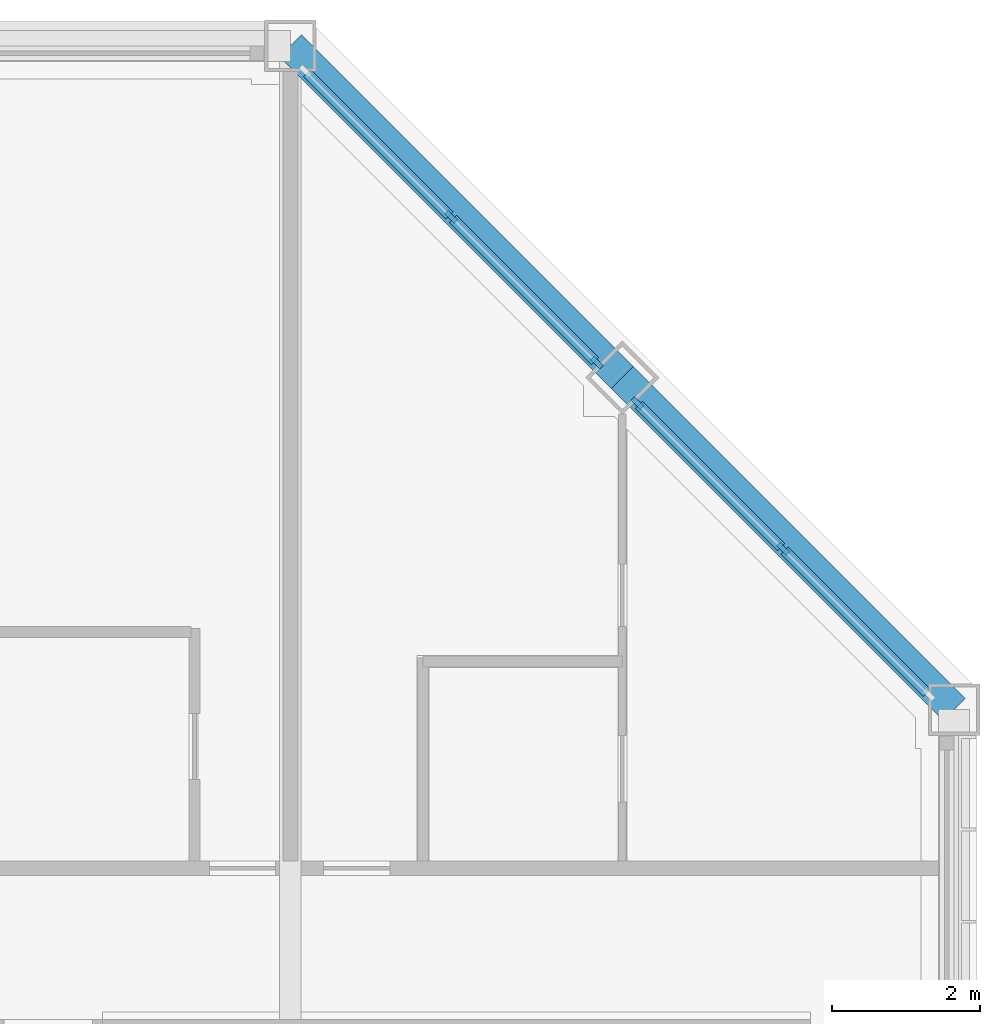
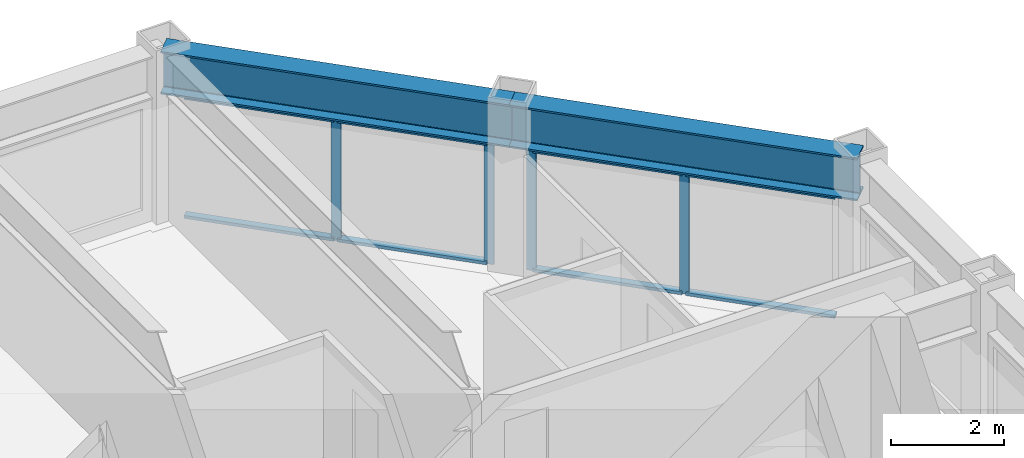
# One storey, part 7 of 18: 12 members, 2 beams, 2 elements without a shape of their own.
"""IFC4 building model written with IfcOpenShell, lengths in metres."""

from ifc_helpers import new_model, si_unit, direction, frame, origin, origin_2d, place, context, subcontext, project, spatial, rectangle, i_section, extrude, material, material_profile, profile_set, type_object, element, aggregate, save


model = new_model("IFC4")

# Units and contexts
model_context = context("Model", 3, precision=1e-05, world=origin(), true_north=direction((0.0, 1.0)))
body_context = subcontext(model_context, "Body", "Model", "MODEL_VIEW")
ifc_project = project(units=[si_unit("LENGTHUNIT", "METRE"), si_unit("AREAUNIT", "SQUARE_METRE"), si_unit("VOLUMEUNIT", "CUBIC_METRE"), si_unit("PLANEANGLEUNIT", "RADIAN"), si_unit("MASSUNIT", "GRAM", prefix="KILO")], contexts=[model_context])

# Site, building, storey
site_placement = place(None, origin())
site = spatial("IfcSite", under=ifc_project, at=site_placement, CompositionType="ELEMENT")
building_placement = place(site_placement, origin())
building = spatial("IfcBuilding", under=site, at=building_placement, Name="Msasa Ring Tower", CompositionType="ELEMENT")
storey_placement = place(building_placement, frame((0.0, 0.0, 204.550048828125)))
storey = spatial("IfcBuildingStorey", under=building, at=storey_placement, Name="L53", CompositionType="ELEMENT", Elevation=204.550048828125)

# Curtain wall, members
ifc_material_1 = material(Name="Aluminium curtain wall with clear glass", Category="aluminium")
curtain_wall_type = type_object("IfcCurtainWallType", Name="CW-C CHAMFER CORNER CURTAIN WALL", PredefinedType="NOTDEFINED", material=ifc_material_1)
curtain_wall_1_placement = place(storey_placement, origin())
curtain_wall_1 = element("IfcCurtainWall", 1, at=curtain_wall_1_placement, inside=storey, type_object=curtain_wall_type, Name="Chamfer corner curtain wall NE L53", PredefinedType="NOTDEFINED")
ifc_material_2 = material(Name="Aluminium mullion", Category="aluminium")
ifc_material_profile_1 = material_profile(ifc_material_2, rectangle(XDim=0.06494140625, YDim=0.179931640625, at=origin_2d()), Name="AL 65x180")
ifc_profile_set_1 = profile_set([ifc_material_profile_1], Name="Aluminium mullion")
member_type_1 = type_object("IfcMemberType", Name="CW-C MULLION 65x180", PredefinedType="MULLION", material=ifc_profile_set_1)
member_1_placement = place(storey_placement, frame((15.4052734375, 15.953369140625, 0.0), z_axis=(0.0, 0.0, 1.0), x_axis=(-0.707106781187, -0.707106781187, 0.0)))
member_1 = element("IfcMember", 2, at=member_1_placement, type_object=member_type_1, Name="CW-C mullion 1", PredefinedType="MULLION", context=body_context, shape_type="SweptSolid", body=[
    extrude(rectangle(XDim=0.06494140625, YDim=0.179931640625, at=origin_2d()), origin(), (0.0, 0.0, 1.0), 2.62890625),
])
member_2_placement = place(storey_placement, frame((13.42919921875, 17.92919921875, 0.0), z_axis=(0.0, 0.0, 1.0), x_axis=(-0.707106781187, -0.707106781187, 0.0)))
member_2 = element("IfcMember", 3, at=member_2_placement, type_object=member_type_1, Name="CW-C mullion 2", PredefinedType="MULLION", context=body_context, shape_type="SweptSolid", body=[
    extrude(rectangle(XDim=0.06494140625, YDim=0.179931640625, at=origin_2d()), origin(), (0.0, 0.0, 1.0), 2.62890625),
])

curtain_wall_2_placement = place(storey_placement, origin())
curtain_wall_2 = element("IfcCurtainWall", 4, at=curtain_wall_2_placement, inside=storey, type_object=curtain_wall_type, Name="Chamfer corner curtain wall NE L53", PredefinedType="NOTDEFINED")
member_3_placement = place(storey_placement, frame((17.92919921875, 13.42919921875, 0.0), z_axis=(0.0, 0.0, 1.0), x_axis=(-0.707106781187, -0.707106781187, 0.0)))
member_3 = element("IfcMember", 5, at=member_3_placement, type_object=member_type_1, Name="CW-C mullion 2", PredefinedType="MULLION", context=body_context, shape_type="SweptSolid", body=[
    extrude(rectangle(XDim=0.06494140625, YDim=0.179931640625, at=origin_2d()), origin(), (0.0, 0.0, 1.0), 2.62890625),
])
member_4_placement = place(storey_placement, frame((15.953369140625, 15.4052734375, 0.0), z_axis=(0.0, 0.0, 1.0), x_axis=(-0.707106781187, -0.707106781187, 0.0)))
member_4 = element("IfcMember", 6, at=member_4_placement, type_object=member_type_1, Name="CW-C mullion 3", PredefinedType="MULLION", context=body_context, shape_type="SweptSolid", body=[
    extrude(rectangle(XDim=0.06494140625, YDim=0.179931640625, at=origin_2d()), origin(), (0.0, 0.0, 1.0), 2.62890625),
])

# Member
ifc_material_3 = material(Name="Aluminium transom", Category="aluminium")
ifc_material_profile_2 = material_profile(ifc_material_3, rectangle(XDim=0.139892578125, YDim=0.06494140625, at=origin_2d()), Name="AL 65x140")
ifc_profile_set_2 = profile_set([ifc_material_profile_2], Name="Aluminium transom")
member_type_2 = type_object("IfcMemberType", Name="CW-C TRANSOM 65x140", PredefinedType="USERDEFINED", material=ifc_profile_set_2)
member_5_placement = place(storey_placement, frame((15.38232421875, 15.976318359375, 0.032470703125), z_axis=(-0.707106781187, 0.707106781187, 0.0), x_axis=(-0.707106781187, -0.707106781187, 0.0)))
member_5 = element("IfcMember", 7, at=member_5_placement, type_object=member_type_2, Name="CW-C transom 1.1", ObjectType="TRANSOM", PredefinedType="USERDEFINED", context=body_context, shape_type="SweptSolid", body=[
    extrude(rectangle(XDim=0.139892578125, YDim=0.06494140625, at=origin_2d()), origin(), (0.0, 0.0, 1.0), 2.729248046875),
])

member_6_placement = place(storey_placement, frame((15.38232421875, 15.976318359375, 2.596435546875), z_axis=(-0.707106781187, 0.707106781187, 0.0), x_axis=(-0.707106781187, -0.707106781187, 0.0)))
member_6 = element("IfcMember", 8, at=member_6_placement, type_object=member_type_2, Name="CW-C transom 1.2", ObjectType="TRANSOM", PredefinedType="USERDEFINED", context=body_context, shape_type="SweptSolid", body=[
    extrude(rectangle(XDim=0.139892578125, YDim=0.06494140625, at=origin_2d()), origin(), (0.0, 0.0, 1.0), 2.729248046875),
])

member_7_placement = place(storey_placement, frame((13.40625, 17.952392578125, 0.032470703125), z_axis=(-0.707106781187, 0.707106781187, 0.0), x_axis=(-0.707106781187, -0.707106781187, 0.0)))
member_7 = element("IfcMember", 9, at=member_7_placement, type_object=member_type_2, Name="CW-C transom 2.1", ObjectType="TRANSOM", PredefinedType="USERDEFINED", context=body_context, shape_type="SweptSolid", body=[
    extrude(rectangle(XDim=0.139892578125, YDim=0.06494140625, at=origin_2d()), origin(), (0.0, 0.0, 1.0), 2.729248046875),
])

member_8_placement = place(storey_placement, frame((13.40625, 17.952392578125, 2.596435546875), z_axis=(-0.707106781187, 0.707106781187, 0.0), x_axis=(-0.707106781187, -0.707106781187, 0.0)))
member_8 = element("IfcMember", 10, at=member_8_placement, type_object=member_type_2, Name="CW-C transom 2.2", ObjectType="TRANSOM", PredefinedType="USERDEFINED", context=body_context, shape_type="SweptSolid", body=[
    extrude(rectangle(XDim=0.139892578125, YDim=0.06494140625, at=origin_2d()), origin(), (0.0, 0.0, 1.0), 2.729248046875),
])

aggregate(curtain_wall_1, [member_1, member_2, member_5, member_6, member_7, member_8])

member_9_placement = place(storey_placement, frame((19.88232421875, 11.476318359375, 0.032470703125), z_axis=(-0.707106781187, 0.707106781187, 0.0), x_axis=(-0.707106781187, -0.707106781187, 0.0)))
member_9 = element("IfcMember", 11, at=member_9_placement, type_object=member_type_2, Name="CW-C transom 1.1", ObjectType="TRANSOM", PredefinedType="USERDEFINED", context=body_context, shape_type="SweptSolid", body=[
    extrude(rectangle(XDim=0.139892578125, YDim=0.06494140625, at=origin_2d()), origin(), (0.0, 0.0, 1.0), 2.729248046875),
])

member_10_placement = place(storey_placement, frame((19.88232421875, 11.476318359375, 2.596435546875), z_axis=(-0.707106781187, 0.707106781187, 0.0), x_axis=(-0.707106781187, -0.707106781187, 0.0)))
member_10 = element("IfcMember", 12, at=member_10_placement, type_object=member_type_2, Name="CW-C transom 1.2", ObjectType="TRANSOM", PredefinedType="USERDEFINED", context=body_context, shape_type="SweptSolid", body=[
    extrude(rectangle(XDim=0.139892578125, YDim=0.06494140625, at=origin_2d()), origin(), (0.0, 0.0, 1.0), 2.729248046875),
])

member_11_placement = place(storey_placement, frame((17.90625, 13.452392578125, 0.032470703125), z_axis=(-0.707106781187, 0.707106781187, 0.0), x_axis=(-0.707106781187, -0.707106781187, 0.0)))
member_11 = element("IfcMember", 13, at=member_11_placement, type_object=member_type_2, Name="CW-C transom 2.1", ObjectType="TRANSOM", PredefinedType="USERDEFINED", context=body_context, shape_type="SweptSolid", body=[
    extrude(rectangle(XDim=0.139892578125, YDim=0.06494140625, at=origin_2d()), origin(), (0.0, 0.0, 1.0), 2.729248046875),
])

member_12_placement = place(storey_placement, frame((17.90625, 13.452392578125, 2.596435546875), z_axis=(-0.707106781187, 0.707106781187, 0.0), x_axis=(-0.707106781187, -0.707106781187, 0.0)))
member_12 = element("IfcMember", 14, at=member_12_placement, type_object=member_type_2, Name="CW-C transom 2.2", ObjectType="TRANSOM", PredefinedType="USERDEFINED", context=body_context, shape_type="SweptSolid", body=[
    extrude(rectangle(XDim=0.139892578125, YDim=0.06494140625, at=origin_2d()), origin(), (0.0, 0.0, 1.0), 2.729248046875),
])

aggregate(curtain_wall_2, [member_3, member_4, member_9, member_10, member_11, member_12])

# Beams
ifc_material_4 = material(Name="Steel S355", Category="steel")
ifc_material_profile_3 = material_profile(ifc_material_4, i_section(OverallWidth=0.42041015625, OverallDepth=0.9208984375, WebThickness=0.021484375, FlangeThickness=0.03662109375, FilletRadius=0.024169921875, at=origin_2d()), Name="UB 914x419x388")
ifc_profile_set_3 = profile_set([ifc_material_profile_3], Name="Steel S355")
beam_type = type_object("IfcBeamType", Name="SB1 UB 914x419x388", PredefinedType="SPANDREL", material=ifc_profile_set_3)
for number, where, z_axis, x_axis, name in (
    (15, (20.25, 11.25, 3.08935546875), (-0.707106781187, 0.707106781187, 0.0), (-0.707106781187, -0.707106781187, 0.0), "Spandrel E+11.25 to NE under L54"),
    (16, (15.75, 15.75, 3.08935546875), (-0.707106781187, 0.707106781187, 0.0), (-0.707106781187, -0.707106781187, 0.0), "Spandrel NE to N+11.25 under L54"),
):
    element("IfcBeam", number, at=place(storey_placement, frame(where, z_axis=z_axis, x_axis=x_axis)), inside=storey, type_object=beam_type, Name=name, PredefinedType="SPANDREL", context=body_context, shape_type="SweptSolid", body=[
        extrude(i_section(OverallWidth=0.42041015625, OverallDepth=0.9208984375, WebThickness=0.021484375, FlangeThickness=0.03662109375, FilletRadius=0.024169921875, at=origin_2d()), origin(), (0.0, 0.0, 1.0), 6.364013671875),
    ])

save(model, "model.ifc")
